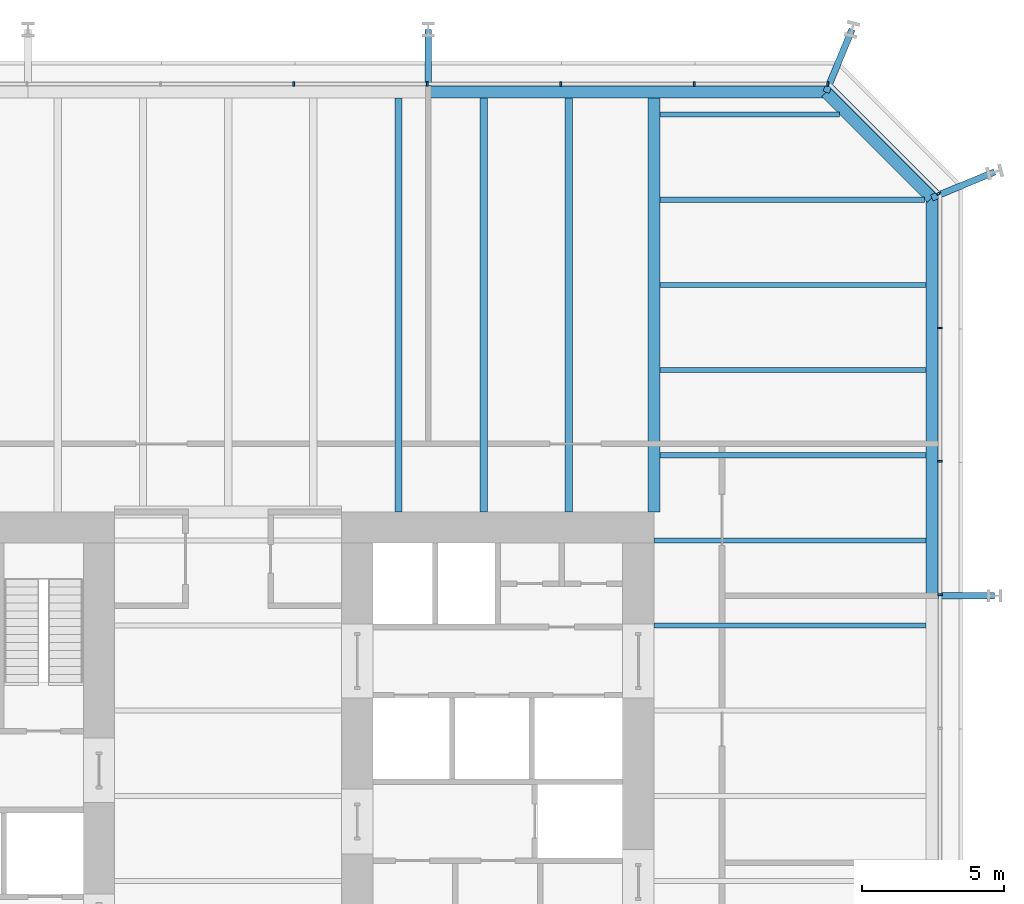
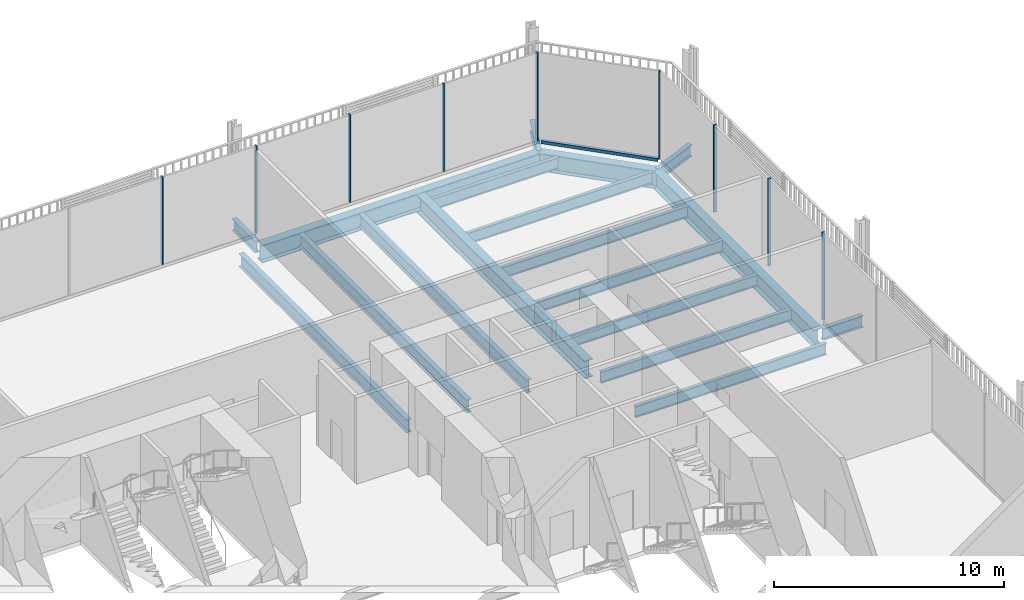
# One storey, part 16 of 22: 18 beams, 10 members, 3 elements without a shape of their own.
"""IFC4 building model written with IfcOpenShell, lengths in metres."""

from ifc_helpers import new_model, si_unit, direction, frame, origin, origin_2d, place, context, subcontext, project, spatial, rectangle, i_section, extrude, material, layer, layer_set, material_profile, profile_set, type_object, element, aggregate, save


model = new_model("IFC4")

# Units and contexts
model_context = context("Model", 3, precision=1e-05, world=origin(), true_north=direction((0.0, 1.0)))
body_context = subcontext(model_context, "Body", "Model", "MODEL_VIEW")
ifc_project = project(units=[si_unit("LENGTHUNIT", "METRE"), si_unit("AREAUNIT", "SQUARE_METRE"), si_unit("VOLUMEUNIT", "CUBIC_METRE"), si_unit("PLANEANGLEUNIT", "RADIAN"), si_unit("MASSUNIT", "GRAM", prefix="KILO")], contexts=[model_context])

# Site, building, storey
site_placement = place(None, origin())
site = spatial("IfcSite", under=ifc_project, at=site_placement, CompositionType="ELEMENT")
building_placement = place(site_placement, origin())
building = spatial("IfcBuilding", under=site, at=building_placement, Name="Millrace Tower", CompositionType="ELEMENT")
storey_placement = place(building_placement, frame((0.0, 0.0, 49.699951171875)))
storey = spatial("IfcBuildingStorey", under=building, at=storey_placement, Name="L11", CompositionType="ELEMENT", Elevation=49.699951171875)

# Curtain wall, members
ifc_material_1 = material(Name="Aluminium and glass", Category="aluminium")
ifc_layer = layer(ifc_material_1, 0.14990234375)
ifc_layer_set = layer_set([ifc_layer], Name="Aluminium and glass")
curtain_wall_type = type_object("IfcCurtainWallType", Name="CW-2 data hall insulated curtain wall", PredefinedType="NOTDEFINED", material=ifc_layer_set)
placement = place(storey_placement, origin())
curtain_wall_1 = element("IfcCurtainWall", 1, at=placement, inside=storey, type_object=curtain_wall_type, Name="Curtain wall A-F04 L11", PredefinedType="NOTDEFINED")
ifc_material_2 = material(Name="Aluminium", Category="aluminium")
ifc_material_profile_1 = material_profile(ifc_material_2, rectangle(XDim=0.06494140625, YDim=0.14990234375, at=origin_2d()))
ifc_profile_set_1 = profile_set([ifc_material_profile_1], Name="Aluminium")
member_type_1 = type_object("IfcMemberType", Name="CW-2 data hall insulated curtain wall mullion", PredefinedType="MULLION", material=ifc_profile_set_1)
member_1_placement = place(storey_placement, frame((25.074951171875, 7.08251953125, 0.16015625), z_axis=(0.0, 0.0, 1.0), x_axis=(0.0, 1.0, 0.0)))
member_1 = element("IfcMember", 2, at=member_1_placement, type_object=member_type_1, Name="CW2 mullion A-F04.7", PredefinedType="MULLION", context=body_context, shape_type="SweptSolid", body=[
    extrude(rectangle(XDim=0.06494140625, YDim=0.14990234375, at=origin_2d()), origin(), (0.0, 0.0, 1.0), 4.639892578125),
])
member_2_placement = place(storey_placement, frame((25.074951171875, 11.782470703125, 0.16015625), z_axis=(0.0, 0.0, 1.0), x_axis=(0.0, 1.0, 0.0)))
member_2 = element("IfcMember", 3, at=member_2_placement, type_object=member_type_1, Name="CW2 mullion A-F04.8", PredefinedType="MULLION", context=body_context, shape_type="SweptSolid", body=[
    extrude(rectangle(XDim=0.06494140625, YDim=0.14990234375, at=origin_2d()), origin(), (0.0, 0.0, 1.0), 4.639892578125),
])
member_3_placement = place(storey_placement, frame((25.074951171875, 16.482421875, 0.16015625), z_axis=(0.0, 0.0, 1.0), x_axis=(0.0, 1.0, 0.0)))
member_3 = element("IfcMember", 4, at=member_3_placement, type_object=member_type_1, Name="CW2 mullion A-F04.9", PredefinedType="MULLION", context=body_context, shape_type="SweptSolid", body=[
    extrude(rectangle(XDim=0.06494140625, YDim=0.14990234375, at=origin_2d()), origin(), (0.0, 0.0, 1.0), 4.639892578125),
])
aggregate(curtain_wall_1, [member_1, member_2, member_3])

# Curtain wall, member
curtain_wall_2 = element("IfcCurtainWall", 5, at=placement, inside=storey, type_object=curtain_wall_type, Name="Curtain wall A-F05 L11", PredefinedType="NOTDEFINED")
member_4_placement = place(storey_placement, frame((25.030029296875, 21.22607421875, 0.16015625), z_axis=(0.0, 0.0, 1.0), x_axis=(-0.707106781187, 0.707106781187, 0.0)))
member_4 = element("IfcMember", 6, at=member_4_placement, type_object=member_type_1, Name="CW2 mullion A-F05.1", PredefinedType="MULLION", context=body_context, shape_type="SweptSolid", body=[
    extrude(rectangle(XDim=0.06494140625, YDim=0.14990234375, at=origin_2d()), origin(), (0.0, 0.0, 1.0), 4.639892578125),
])

# Curtain wall, members
curtain_wall_3 = element("IfcCurtainWall", 7, at=placement, inside=storey, type_object=curtain_wall_type, Name="Curtain wall A-F06 L11", PredefinedType="NOTDEFINED")
member_5_placement = place(storey_placement, frame((21.117431640625, 25.074951171875, 0.16015625), z_axis=(0.0, 0.0, 1.0), x_axis=(-1.0, 0.0, 0.0)))
member_5 = element("IfcMember", 8, at=member_5_placement, type_object=member_type_1, Name="CW2 mullion A-F06.1", PredefinedType="MULLION", context=body_context, shape_type="SweptSolid", body=[
    extrude(rectangle(XDim=0.06494140625, YDim=0.14990234375, at=origin_2d()), origin(), (0.0, 0.0, 1.0), 4.639892578125),
])
member_6_placement = place(storey_placement, frame((16.41748046875, 25.074951171875, 0.16015625), z_axis=(0.0, 0.0, 1.0), x_axis=(-1.0, 0.0, 0.0)))
member_6 = element("IfcMember", 9, at=member_6_placement, type_object=member_type_1, Name="CW2 mullion A-F06.2", PredefinedType="MULLION", context=body_context, shape_type="SweptSolid", body=[
    extrude(rectangle(XDim=0.06494140625, YDim=0.14990234375, at=origin_2d()), origin(), (0.0, 0.0, 1.0), 4.639892578125),
])
member_7_placement = place(storey_placement, frame((11.717529296875, 25.074951171875, 0.16015625), z_axis=(0.0, 0.0, 1.0), x_axis=(-1.0, 0.0, 0.0)))
member_7 = element("IfcMember", 10, at=member_7_placement, type_object=member_type_1, Name="CW2 mullion A-F06.3", PredefinedType="MULLION", context=body_context, shape_type="SweptSolid", body=[
    extrude(rectangle(XDim=0.06494140625, YDim=0.14990234375, at=origin_2d()), origin(), (0.0, 0.0, 1.0), 4.639892578125),
])
member_8_placement = place(storey_placement, frame((7.017578125, 25.074951171875, 0.16015625), z_axis=(0.0, 0.0, 1.0), x_axis=(-1.0, 0.0, 0.0)))
member_8 = element("IfcMember", 11, at=member_8_placement, type_object=member_type_1, Name="CW2 mullion A-F06.4", PredefinedType="MULLION", context=body_context, shape_type="SweptSolid", body=[
    extrude(rectangle(XDim=0.06494140625, YDim=0.14990234375, at=origin_2d()), origin(), (0.0, 0.0, 1.0), 4.639892578125),
])
member_9_placement = place(storey_placement, frame((2.3173828125, 25.074951171875, 0.16015625), z_axis=(0.0, 0.0, 1.0), x_axis=(-1.0, 0.0, 0.0)))
member_9 = element("IfcMember", 12, at=member_9_placement, type_object=member_type_1, Name="CW2 mullion A-F06.5", PredefinedType="MULLION", context=body_context, shape_type="SweptSolid", body=[
    extrude(rectangle(XDim=0.06494140625, YDim=0.14990234375, at=origin_2d()), origin(), (0.0, 0.0, 1.0), 4.639892578125),
])
aggregate(curtain_wall_3, [member_5, member_6, member_7, member_8, member_9])

# Member
ifc_material_3 = material(Name="Aluminium", Category="aluminium")
ifc_material_profile_2 = material_profile(ifc_material_3, rectangle(XDim=0.14990234375, YDim=0.159912109375, at=origin_2d()))
ifc_profile_set_2 = profile_set([ifc_material_profile_2], Name="Aluminium")
member_type_2 = type_object("IfcMemberType", Name="CW-2 data hall insulated curtain wall transom", PredefinedType="USERDEFINED", material=ifc_profile_set_2)
member_10_placement = place(storey_placement, frame((24.982421875, 21.273681640625, 0.080078125), z_axis=(-0.707106781187, 0.707106781187, 0.0), x_axis=(-0.707106781187, -0.707106781187, 0.0)))
member_10 = element("IfcMember", 13, at=member_10_placement, type_object=member_type_2, Name="CW2 transom A-F05.1", ObjectType="TRANSOM", PredefinedType="USERDEFINED", context=body_context, shape_type="SweptSolid", body=[
    extrude(rectangle(XDim=0.14990234375, YDim=0.159912109375, at=origin_2d()), origin(), (0.0, 0.0, 1.0), 5.244873046875),
])

aggregate(curtain_wall_2, [member_4, member_10])

# Beams
ifc_material_4 = material(Name="Steel ASTM A992 Grade 50", Category="steel")
ifc_material_profile_3 = material_profile(ifc_material_4, i_section(OverallWidth=0.177978515625, OverallDepth=0.599365234375, WebThickness=0.010009765625, FlangeThickness=0.012939453125, FilletRadius=0.012939453125, at=origin_2d()))
ifc_profile_set_3 = profile_set([ifc_material_profile_3], Name="Steel ASTM A992 Grade 50")
beam_type_1 = type_object("IfcBeamType", Name="Floor beam W24x55", PredefinedType="JOIST", material=ifc_profile_set_3)
beam_1_placement = place(storey_placement, frame((15.212158203125, 24.0, -0.524658203125), z_axis=(1.0, 0.0, 0.0), x_axis=(0.0, 1.0, 0.0)))
element("IfcBeam", 14, at=beam_1_placement, inside=storey, type_object=beam_type_1, Name="BM-A-L11-S1-S041", PredefinedType="JOIST", context=body_context, shape_type="SweptSolid", body=[
    extrude(i_section(OverallWidth=0.177978515625, OverallDepth=0.599365234375, WebThickness=0.010009765625, FlangeThickness=0.012939453125, FilletRadius=0.012939453125, at=origin_2d()), origin(), (0.0, 0.0, 1.0), 6.317626953125),
])
ifc_material_5 = material(Name="Steel ASTM A992 Grade 50", Category="steel")
ifc_material_profile_4 = material_profile(ifc_material_5, i_section(OverallWidth=0.1787109375, OverallDepth=0.60205078125, WebThickness=0.010986328125, FlangeThickness=0.014892578125, FilletRadius=0.0126953125, at=origin_2d()))
ifc_profile_set_4 = profile_set([ifc_material_profile_4], Name="Steel ASTM A992 Grade 50")
beam_type_2 = type_object("IfcBeamType", Name="Floor beam W24x62", PredefinedType="JOIST", material=ifc_profile_set_4)
for number, where, z_axis, x_axis, name in (
    (15, (15.0, 6.0, -0.52587890625), (1.0, 0.0, 0.0), (0.0, 1.0, 0.0), "BM-A-L11-S1-S028"),
    (16, (15.0, 9.0, -0.52587890625), (1.0, 0.0, 0.0), (0.0, 1.0, 0.0), "BM-A-L11-S1-S031"),
):
    element("IfcBeam", number, at=place(storey_placement, frame(where, z_axis=z_axis, x_axis=x_axis)), inside=storey, type_object=beam_type_2, Name=name, PredefinedType="JOIST", context=body_context, shape_type="SweptSolid", body=[
        extrude(i_section(OverallWidth=0.1787109375, OverallDepth=0.60205078125, WebThickness=0.010986328125, FlangeThickness=0.014892578125, FilletRadius=0.0126953125, at=origin_2d()), origin(), (0.0, 0.0, 1.0), 9.578369140625),
    ])
for number, where, z_axis, x_axis, name in (
    (17, (15.212158203125, 12.0, -0.52587890625), (1.0, 0.0, 0.0), (0.0, 1.0, 0.0), "BM-A-L11-S1-S033"),
    (18, (15.212158203125, 15.0, -0.52587890625), (1.0, 0.0, 0.0), (0.0, 1.0, 0.0), "BM-A-L11-S1-S035"),
    (19, (15.212158203125, 18.0, -0.52587890625), (1.0, 0.0, 0.0), (0.0, 1.0, 0.0), "BM-A-L11-S1-S037"),
):
    element("IfcBeam", number, at=place(storey_placement, frame(where, z_axis=z_axis, x_axis=x_axis)), inside=storey, type_object=beam_type_2, Name=name, PredefinedType="JOIST", context=body_context, shape_type="SweptSolid", body=[
        extrude(i_section(OverallWidth=0.1787109375, OverallDepth=0.60205078125, WebThickness=0.010986328125, FlangeThickness=0.014892578125, FilletRadius=0.0126953125, at=origin_2d()), origin(), (0.0, 0.0, 1.0), 9.3662109375),
    ])
beam_2_placement = place(storey_placement, frame((15.212158203125, 21.0, -0.52587890625), z_axis=(1.0, 0.0, 0.0), x_axis=(0.0, 1.0, 0.0)))
element("IfcBeam", 20, at=beam_2_placement, inside=storey, type_object=beam_type_2, Name="BM-A-L11-S1-S039", PredefinedType="JOIST", context=body_context, shape_type="SweptSolid", body=[
    extrude(i_section(OverallWidth=0.1787109375, OverallDepth=0.60205078125, WebThickness=0.010986328125, FlangeThickness=0.014892578125, FilletRadius=0.0126953125, at=origin_2d()), origin(), (0.0, 0.0, 1.0), 9.317626953125),
])
ifc_material_6 = material(Name="Steel ASTM A992 Grade 50", Category="steel")
ifc_material_profile_5 = material_profile(ifc_material_6, i_section(OverallWidth=0.256591796875, OverallDepth=0.693359375, WebThickness=0.014404296875, FlangeThickness=0.023681640625, FilletRadius=0.01513671875, at=origin_2d()))
ifc_profile_set_5 = profile_set([ifc_material_profile_5], Name="Steel ASTM A992 Grade 50")
beam_type_3 = type_object("IfcBeamType", Name="Floor beam W27x114", PredefinedType="JOIST", material=ifc_profile_set_5)
for number, where, z_axis, x_axis, name in (
    (21, (6.0, 10.0, -0.57177734375), (0.0, 1.0, 0.0), (-1.0, 0.0, 0.0), "BM-A-L11-S1-S054"),
    (22, (9.0, 10.0, -0.57177734375), (0.0, 1.0, 0.0), (-1.0, 0.0, 0.0), "BM-A-L11-S1-S056"),
    (23, (12.0, 10.0, -0.57177734375), (0.0, 1.0, 0.0), (-1.0, 0.0, 0.0), "BM-A-L11-S1-S058"),
):
    element("IfcBeam", number, at=place(storey_placement, frame(where, z_axis=z_axis, x_axis=x_axis)), inside=storey, type_object=beam_type_3, Name=name, PredefinedType="JOIST", context=body_context, shape_type="SweptSolid", body=[
        extrude(i_section(OverallWidth=0.256591796875, OverallDepth=0.693359375, WebThickness=0.014404296875, FlangeThickness=0.023681640625, FilletRadius=0.01513671875, at=origin_2d()), origin(), (0.0, 0.0, 1.0), 14.578369140625),
    ])
ifc_material_7 = material(Name="Steel ASTM A992 Grade 50", Category="steel")
ifc_material_profile_6 = material_profile(ifc_material_7, i_section(OverallWidth=0.424072265625, OverallDepth=0.947509765625, WebThickness=0.02392578125, FlangeThickness=0.042724609375, FilletRadius=0.024169921875, at=origin_2d()))
ifc_profile_set_6 = profile_set([ifc_material_profile_6], Name="Steel ASTM A992 Grade 50")
beam_type_4 = type_object("IfcBeamType", Name="Girder medium span W36x302", PredefinedType="BEAM", material=ifc_profile_set_6)
beam_3_placement = place(storey_placement, frame((15.0, 10.0, -0.69873046875), z_axis=(0.0, 1.0, 0.0), x_axis=(-1.0, 0.0, 0.0)))
element("IfcBeam", 24, at=beam_3_placement, inside=storey, type_object=beam_type_4, Name="BM-A-L11-S1-G062", PredefinedType="BEAM", context=body_context, shape_type="SweptSolid", body=[
    extrude(i_section(OverallWidth=0.424072265625, OverallDepth=0.947509765625, WebThickness=0.02392578125, FlangeThickness=0.042724609375, FilletRadius=0.024169921875, at=origin_2d()), origin(), (0.0, 0.0, 1.0), 14.578369140625),
])
ifc_material_8 = material(Name="Steel ASTM A992 Grade 50", Category="steel")
ifc_material_profile_7 = material_profile(ifc_material_8, i_section(OverallWidth=0.23046875, OverallDepth=0.6171875, WebThickness=0.01318359375, FlangeThickness=0.022216796875, FilletRadius=0.012939453125, at=origin_2d()))
ifc_profile_set_7 = profile_set([ifc_material_profile_7], Name="Steel ASTM A992 Grade 50")
beam_type_5 = type_object("IfcBeamType", Name="Link beam W24x94", PredefinedType="BEAM", material=ifc_profile_set_7)
beam_4_placement = place(storey_placement, frame((7.050048828125, 25.0, -0.533447265625), z_axis=(0.0, 1.0, 0.0), x_axis=(-1.0, 0.0, 0.0)))
element("IfcBeam", 25, at=beam_4_placement, inside=storey, type_object=beam_type_5, Name="LNK-A-L11-S1-07", PredefinedType="BEAM", context=body_context, shape_type="SweptSolid", body=[
    extrude(i_section(OverallWidth=0.23046875, OverallDepth=0.6171875, WebThickness=0.01318359375, FlangeThickness=0.022216796875, FilletRadius=0.012939453125, at=origin_2d()), origin(), (0.0, 0.0, 1.0), 2.0),
])
for number, where, z_axis, x_axis, name in (
    (26, (21.062744140625, 24.7890625, -0.533447265625), (0.382673155247, 0.923883789366, 0.0), (-0.923883789366, 0.382673155247, 0.0), "LNK-A-L11-S1-08"),
    (27, (24.7890625, 21.062744140625, -0.533447265625), (0.923883789366, 0.382673155247, 0.0), (-0.382673155247, 0.923883789366, 0.0), "LNK-A-L11-S1-09"),
):
    element("IfcBeam", number, at=place(storey_placement, frame(where, z_axis=z_axis, x_axis=x_axis)), inside=storey, type_object=beam_type_5, Name=name, PredefinedType="BEAM", context=body_context, shape_type="SweptSolid", body=[
        extrude(i_section(OverallWidth=0.23046875, OverallDepth=0.6171875, WebThickness=0.01318359375, FlangeThickness=0.022216796875, FilletRadius=0.012939453125, at=origin_2d()), origin(), (0.0, 0.0, 1.0), 2.39306640625),
    ])
beam_5_placement = place(storey_placement, frame((25.0, 7.050048828125, -0.533447265625), z_axis=(1.0, 0.0, 0.0), x_axis=(0.0, 1.0, 0.0)))
element("IfcBeam", 28, at=beam_5_placement, inside=storey, type_object=beam_type_5, Name="LNK-A-L11-S1-10", PredefinedType="BEAM", context=body_context, shape_type="SweptSolid", body=[
    extrude(i_section(OverallWidth=0.23046875, OverallDepth=0.6171875, WebThickness=0.01318359375, FlangeThickness=0.022216796875, FilletRadius=0.012939453125, at=origin_2d()), origin(), (0.0, 0.0, 1.0), 2.0),
])
ifc_material_9 = material(Name="Steel ASTM A992 Grade 50", Category="steel")
ifc_material_profile_8 = material_profile(ifc_material_9, i_section(OverallWidth=0.421630859375, OverallDepth=0.937255859375, WebThickness=0.021240234375, FlangeThickness=0.03662109375, FilletRadius=0.024169921875, at=origin_2d()))
ifc_profile_set_8 = profile_set([ifc_material_profile_8], Name="Steel ASTM A992 Grade 50")
beam_type_6 = type_object("IfcBeamType", Name="Ring beam medium span W36x262", PredefinedType="SPANDREL", material=ifc_profile_set_8)
for number, where, z_axis, x_axis, name in (
    (29, (7.050048828125, 24.7890625, -0.693603515625), (1.0, 0.0, 0.0), (0.0, 1.0, 0.0), "RNG-A-L11-S1-07"),
    (30, (24.7890625, 21.062744140625, -0.693603515625), (0.0, -1.0, 0.0), (1.0, 0.0, 0.0), "RNG-A-L11-S1-09"),
):
    element("IfcBeam", number, at=place(storey_placement, frame(where, z_axis=z_axis, x_axis=x_axis)), inside=storey, type_object=beam_type_6, Name=name, PredefinedType="SPANDREL", context=body_context, shape_type="SweptSolid", body=[
        extrude(i_section(OverallWidth=0.421630859375, OverallDepth=0.937255859375, WebThickness=0.021240234375, FlangeThickness=0.03662109375, FilletRadius=0.024169921875, at=origin_2d()), origin(), (0.0, 0.0, 1.0), 14.0126953125),
    ])
ifc_material_10 = material(Name="Steel ASTM A992 Grade 50", Category="steel")
ifc_material_profile_9 = material_profile(ifc_material_10, i_section(OverallWidth=0.421630859375, OverallDepth=0.937255859375, WebThickness=0.021240234375, FlangeThickness=0.03662109375, FilletRadius=0.024169921875, at=origin_2d()))
ifc_profile_set_9 = profile_set([ifc_material_profile_9], Name="Steel ASTM A992 Grade 50")
beam_type_7 = type_object("IfcBeamType", Name="Ring beam short span W36x262", PredefinedType="SPANDREL", material=ifc_profile_set_9)
beam_6_placement = place(storey_placement, frame((21.062744140625, 24.7890625, -0.693603515625), z_axis=(0.707106781187, -0.707106781187, 0.0), x_axis=(0.707106781187, 0.707106781187, 0.0)))
element("IfcBeam", 31, at=beam_6_placement, inside=storey, type_object=beam_type_7, Name="RNG-A-L11-S1-08", PredefinedType="SPANDREL", context=body_context, shape_type="SweptSolid", body=[
    extrude(i_section(OverallWidth=0.421630859375, OverallDepth=0.937255859375, WebThickness=0.021240234375, FlangeThickness=0.03662109375, FilletRadius=0.024169921875, at=origin_2d()), origin(), (0.0, 0.0, 1.0), 5.269775390625),
])

save(model, "model.ifc")
